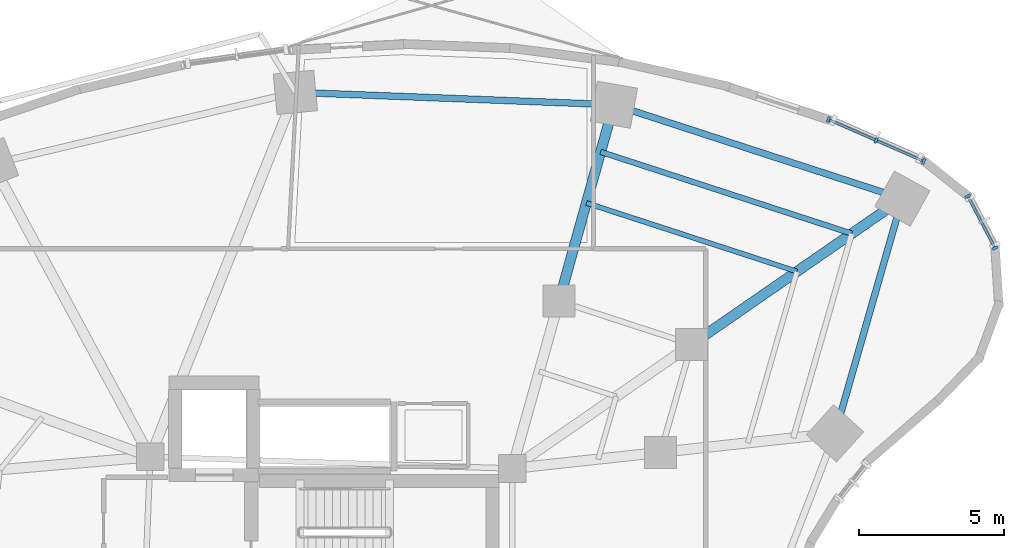
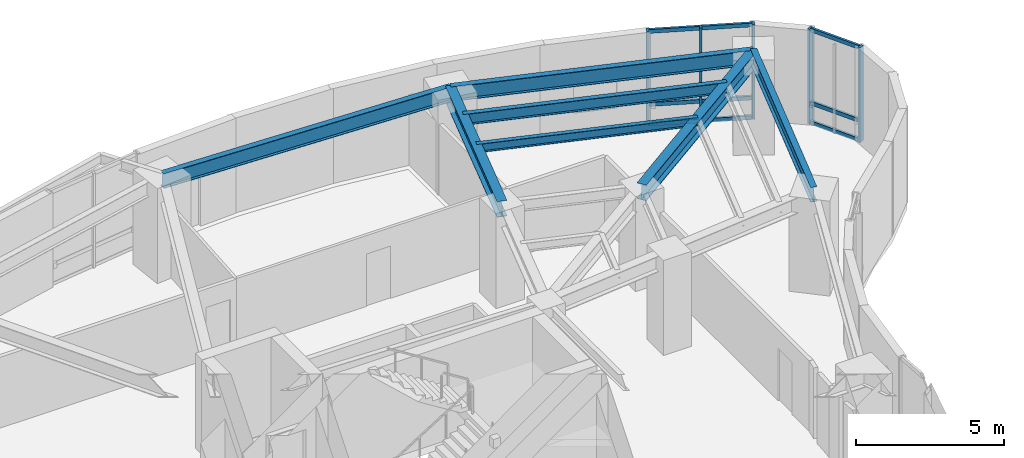
# One storey, part 6 of 14: 14 members, 7 beams, 2 elements without a shape of their own.
"""IFC4 building model written with IfcOpenShell, lengths in metres."""

from ifc_helpers import new_model, si_unit, direction, frame, origin, origin_2d, place, context, subcontext, project, spatial, rectangle, i_section, extrude, material, layer, layer_set, material_profile, profile_set, type_object, element, aggregate, save


model = new_model("IFC4")

# Units and contexts
model_context = context("Model", 3, precision=1e-05, world=origin(), true_north=direction((0.0, 1.0)))
body_context = subcontext(model_context, "Body", "Model", "MODEL_VIEW")
ifc_project = project(units=[si_unit("LENGTHUNIT", "METRE"), si_unit("AREAUNIT", "SQUARE_METRE"), si_unit("VOLUMEUNIT", "CUBIC_METRE"), si_unit("PLANEANGLEUNIT", "RADIAN"), si_unit("MASSUNIT", "GRAM", prefix="KILO")], contexts=[model_context])

# Site, building, storey
site_placement = place(None, origin())
site = spatial("IfcSite", under=ifc_project, at=site_placement, CompositionType="ELEMENT")
building_placement = place(site_placement, origin())
building = spatial("IfcBuilding", under=site, at=building_placement, Name="Korentha Bioscience Tower", CompositionType="ELEMENT")
storey_placement = place(building_placement, frame((0.0, 0.0, 63.60009765625)))
storey = spatial("IfcBuildingStorey", under=building, at=storey_placement, Name="L14", CompositionType="ELEMENT", Elevation=63.60009765625)

# Curtain wall, members
ifc_material_1 = material(Name="Thermally Broken Aluminium Frame", Category="aluminium")
ifc_layer = layer(ifc_material_1, 0.219970703125, Name="Thermally Broken Aluminium Frame")
ifc_layer_set = layer_set([ifc_layer], Name="Thermally Broken Aluminium Frame (CW-T2)")
curtain_wall_type = type_object("IfcCurtainWallType", Name="Solar-Screened Lab Unitised Curtain Wall CW-T2", PredefinedType="USERDEFINED", material=ifc_layer_set)
curtain_wall_1_placement = place(storey_placement, origin())
curtain_wall_1 = element("IfcCurtainWall", 1, at=curtain_wall_1_placement, inside=storey, type_object=curtain_wall_type, Name="L14 Curtain Wall 01", ObjectType="UNITISED", PredefinedType="USERDEFINED")
ifc_material_2 = material(Name="Anodised Aluminium 6063-T6", Category="aluminium")
ifc_material_profile_1 = material_profile(ifc_material_2, rectangle(XDim=0.090087890625, YDim=0.199951171875, at=origin_2d()), Name="Anodised Aluminium 6063-T6")
ifc_profile_set_1 = profile_set([ifc_material_profile_1], Name="Anodised Aluminium 6063-T6 (CW-MUL)")
member_type_1 = type_object("IfcMemberType", Name="Mullion RECT 90x200", PredefinedType="MULLION", material=ifc_profile_set_1)
member_1_placement = place(storey_placement, frame((51.71337890625, 46.420654296875, 0.0), z_axis=(0.0, 0.0, 1.0), x_axis=(-0.91593909057, 0.401317308828, 0.0)))
member_1 = element("IfcMember", 2, at=member_1_placement, type_object=member_type_1, Name="CW-L14-01 Mullion 1", PredefinedType="MULLION", context=body_context, shape_type="SweptSolid", body=[
    extrude(rectangle(XDim=0.090087890625, YDim=0.199951171875, at=origin_2d()), origin(), (0.0, 0.0, 1.0), 3.89990234375),
])
member_2_placement = place(storey_placement, frame((50.072998046875, 47.139404296875, 0.0), z_axis=(0.0, 0.0, 1.0), x_axis=(-0.91593909057, 0.401317308828, 0.0)))
member_2 = element("IfcMember", 3, at=member_2_placement, type_object=member_type_1, Name="CW-L14-01 Mullion 2", PredefinedType="MULLION", context=body_context, shape_type="SweptSolid", body=[
    extrude(rectangle(XDim=0.090087890625, YDim=0.199951171875, at=origin_2d()), origin(), (0.0, 0.0, 1.0), 3.89990234375),
])
member_3_placement = place(storey_placement, frame((48.43212890625, 47.8583984375, 0.0), z_axis=(0.0, 0.0, 1.0), x_axis=(-0.91593909057, 0.401317308828, 0.0)))
member_3 = element("IfcMember", 4, at=member_3_placement, type_object=member_type_1, Name="CW-L14-01 Mullion 3", PredefinedType="MULLION", context=body_context, shape_type="SweptSolid", body=[
    extrude(rectangle(XDim=0.090087890625, YDim=0.199951171875, at=origin_2d()), origin(), (0.0, 0.0, 1.0), 3.89990234375),
])

curtain_wall_2_placement = place(storey_placement, origin())
curtain_wall_2 = element("IfcCurtainWall", 5, at=curtain_wall_2_placement, inside=storey, type_object=curtain_wall_type, Name="L14 Curtain Wall 61", ObjectType="UNITISED", PredefinedType="USERDEFINED")
member_4_placement = place(storey_placement, frame((54.163330078125, 43.435302734375, 0.0), z_axis=(0.0, 0.0, 1.0), x_axis=(-0.463008597697, 0.886353788539, 0.0)))
member_4 = element("IfcMember", 6, at=member_4_placement, type_object=member_type_1, Name="CW-L14-61 Mullion 1", PredefinedType="MULLION", context=body_context, shape_type="SweptSolid", body=[
    extrude(rectangle(XDim=0.090087890625, YDim=0.199951171875, at=origin_2d()), origin(), (0.0, 0.0, 1.0), 3.89990234375),
])
member_5_placement = place(storey_placement, frame((53.22900390625, 45.2236328125, 0.0), z_axis=(0.0, 0.0, 1.0), x_axis=(-0.463008597697, 0.886353788539, 0.0)))
member_5 = element("IfcMember", 7, at=member_5_placement, type_object=member_type_1, Name="CW-L14-61 Mullion 2", PredefinedType="MULLION", context=body_context, shape_type="SweptSolid", body=[
    extrude(rectangle(XDim=0.090087890625, YDim=0.199951171875, at=origin_2d()), origin(), (0.0, 0.0, 1.0), 3.89990234375),
])

# Beams
ifc_material_3 = material(Name="Steel S355", Category="steel")
ifc_material_profile_2 = material_profile(ifc_material_3, i_section(OverallWidth=0.22802734375, OverallDepth=0.60791015625, WebThickness=0.01123046875, FlangeThickness=0.017333984375, at=origin_2d()), Name="Steel S355")
ifc_profile_set_2 = profile_set([ifc_material_profile_2], Name="Steel S355 (SB-610)")
beam_type_1 = type_object("IfcBeamType", Name="Perimeter Ring Spandrel Girder W610x113", PredefinedType="SPANDREL", material=ifc_profile_set_2)
beam_1_placement = place(storey_placement, frame((50.977294921875, 45.135498046875, 3.595947265625), z_axis=(-0.95087511444, 0.309574735305, 0.0), x_axis=(-0.309574735305, -0.95087511444, 0.0)))
element("IfcBeam", 8, at=beam_1_placement, inside=storey, type_object=beam_type_1, Name="L14 Perimeter Spandrel Girder 01", PredefinedType="SPANDREL", context=body_context, shape_type="SweptSolid", body=[
    extrude(i_section(OverallWidth=0.22802734375, OverallDepth=0.60791015625, WebThickness=0.01123046875, FlangeThickness=0.017333984375, at=origin_2d()), origin(), (0.0, 0.0, 1.0), 10.4375),
])
beam_2_placement = place(storey_placement, frame((41.052490234375, 48.36669921875, 3.595947265625), z_axis=(-0.999246003889, 0.03882555488, 0.0), x_axis=(-0.03882555488, -0.999246003889, 0.0)))
element("IfcBeam", 9, at=beam_2_placement, inside=storey, type_object=beam_type_1, Name="L14 Perimeter Spandrel Girder 02", PredefinedType="SPANDREL", context=body_context, shape_type="SweptSolid", body=[
    extrude(i_section(OverallWidth=0.22802734375, OverallDepth=0.60791015625, WebThickness=0.01123046875, FlangeThickness=0.017333984375, at=origin_2d()), origin(), (0.0, 0.0, 1.0), 10.966552734375),
])
beam_3_placement = place(storey_placement, frame((48.661865234375, 37.060791015625, 3.595947265625), z_axis=(0.275642273411, 0.961260285827, 0.0), x_axis=(-0.961260285827, 0.275642273411, 0.0)))
element("IfcBeam", 10, at=beam_3_placement, inside=storey, type_object=beam_type_1, Name="L14 Perimeter Spandrel Girder 16", PredefinedType="SPANDREL", context=body_context, shape_type="SweptSolid", body=[
    extrude(i_section(OverallWidth=0.22802734375, OverallDepth=0.60791015625, WebThickness=0.01123046875, FlangeThickness=0.017333984375, at=origin_2d()), origin(), (0.0, 0.0, 1.0), 8.400146484375),
])
ifc_material_profile_3 = material_profile(ifc_material_3, i_section(OverallWidth=0.18994140625, OverallDepth=0.45703125, WebThickness=0.009033203125, FlangeThickness=0.014404296875, at=origin_2d()), Name="Steel S355")
ifc_profile_set_3 = profile_set([ifc_material_profile_3], Name="Steel S355 (RB-460)")
beam_type_2 = type_object("IfcBeamType", Name="Radial Laboratory Beam W460x74", PredefinedType="BEAM", material=ifc_profile_set_3)
beam_4_placement = place(storey_placement, frame((49.2373046875, 43.931884765625, 3.67138671875), z_axis=(-0.95087437499, 0.309577006554, 0.0), x_axis=(-0.309577006554, -0.95087437499, 0.0)))
element("IfcBeam", 11, at=beam_4_placement, inside=storey, type_object=beam_type_2, Name="L14 Secondary Floor Beam JSTO-01", PredefinedType="BEAM", context=body_context, shape_type="SweptSolid", body=[
    extrude(i_section(OverallWidth=0.18994140625, OverallDepth=0.45703125, WebThickness=0.009033203125, FlangeThickness=0.014404296875, at=origin_2d()), origin(), (0.0, 0.0, 1.0), 9.0849609375),
])
ifc_material_profile_4 = material_profile(ifc_material_3, i_section(OverallWidth=0.35009765625, OverallDepth=0.64990234375, WebThickness=0.01611328125, FlangeThickness=0.02490234375, at=origin_2d()), Name="Steel S355")
ifc_profile_set_4 = profile_set([ifc_material_profile_4], Name="Steel S355 (RB-650)")
beam_type_3 = type_object("IfcBeamType", Name="Radial Laboratory Girder CVS 650x208", PredefinedType="BEAM", material=ifc_profile_set_4)
beam_5_placement = place(storey_placement, frame((43.7265625, 40.121337890625, 3.574951171875), z_axis=(0.822488186113, 0.568782193555, 0.0), x_axis=(-0.568782193555, 0.822488186113, 0.0)))
element("IfcBeam", 12, at=beam_5_placement, inside=storey, type_object=beam_type_3, Name="L14 Outer Radial Girder 01", PredefinedType="BEAM", context=body_context, shape_type="SweptSolid", body=[
    extrude(i_section(OverallWidth=0.35009765625, OverallDepth=0.64990234375, WebThickness=0.01611328125, FlangeThickness=0.02490234375, at=origin_2d()), origin(), (0.0, 0.0, 1.0), 8.815673828125),
])
beam_6_placement = place(storey_placement, frame((39.1611328125, 41.607666015625, 3.574951171875), z_axis=(0.269475095129, 0.963007358801, 0.0), x_axis=(-0.963007358801, 0.269475095129, 0.0)))
element("IfcBeam", 13, at=beam_6_placement, inside=storey, type_object=beam_type_3, Name="L14 Outer Radial Girder 02", PredefinedType="BEAM", context=body_context, shape_type="SweptSolid", body=[
    extrude(i_section(OverallWidth=0.35009765625, OverallDepth=0.64990234375, WebThickness=0.01611328125, FlangeThickness=0.02490234375, at=origin_2d()), origin(), (0.0, 0.0, 1.0), 7.0185546875),
])
ifc_material_profile_5 = material_profile(ifc_material_3, i_section(OverallWidth=0.1708984375, OverallDepth=0.35498046875, WebThickness=0.007080078125, FlangeThickness=0.01171875, at=origin_2d()), Name="Steel S355")
ifc_profile_set_5 = profile_set([ifc_material_profile_5], Name="Steel S355 (JB-360)")
beam_type_4 = type_object("IfcBeamType", Name="Secondary Laboratory Joist W360x51", PredefinedType="JOIST", material=ifc_profile_set_5)
beam_7_placement = place(storey_placement, frame((47.35205078125, 42.62841796875, 3.722412109375), z_axis=(-0.950870992772, 0.309587394938, 0.0), x_axis=(-0.309587394938, -0.950870992772, 0.0)))
element("IfcBeam", 14, at=beam_7_placement, inside=storey, type_object=beam_type_4, Name="L14 Secondary Floor Beam JST-01", PredefinedType="JOIST", context=body_context, shape_type="SweptSolid", body=[
    extrude(i_section(OverallWidth=0.1708984375, OverallDepth=0.35498046875, WebThickness=0.007080078125, FlangeThickness=0.01171875, at=origin_2d()), origin(), (0.0, 0.0, 1.0), 7.619384765625),
])

# Member
ifc_material_profile_6 = material_profile(ifc_material_2, rectangle(XDim=0.090087890625, YDim=0.159912109375, at=origin_2d()), Name="Anodised Aluminium 6063-T6")
ifc_profile_set_6 = profile_set([ifc_material_profile_6], Name="Anodised Aluminium 6063-T6 (CW-TRN)")
member_type_2 = type_object("IfcMemberType", Name="Transom RECT 90x160", PredefinedType="USERDEFINED", material=ifc_profile_set_6)
member_6_placement = place(storey_placement, frame((51.67236328125, 46.438720703125, 0.044921875), z_axis=(-0.915976098914, 0.401232832926, 0.0), x_axis=(-0.401232832926, -0.915976098914, 0.0)))
member_6 = element("IfcMember", 15, at=member_6_placement, type_object=member_type_2, Name="CW-L14-01 Bay 1 Transom 1", ObjectType="TRANSOM", PredefinedType="USERDEFINED", context=body_context, shape_type="SweptSolid", body=[
    extrude(rectangle(XDim=0.090087890625, YDim=0.159912109375, at=origin_2d()), origin(), (0.0, 0.0, 1.0), 1.701416015625),
])

member_7_placement = place(storey_placement, frame((51.67236328125, 46.438720703125, 0.849853515625), z_axis=(-0.915976098914, 0.401232832926, 0.0), x_axis=(-0.401232832926, -0.915976098914, 0.0)))
member_7 = element("IfcMember", 16, at=member_7_placement, type_object=member_type_2, Name="CW-L14-01 Bay 1 Transom 2", ObjectType="TRANSOM", PredefinedType="USERDEFINED", context=body_context, shape_type="SweptSolid", body=[
    extrude(rectangle(XDim=0.090087890625, YDim=0.159912109375, at=origin_2d()), origin(), (0.0, 0.0, 1.0), 1.701416015625),
])

member_8_placement = place(storey_placement, frame((51.67236328125, 46.438720703125, 3.85498046875), z_axis=(-0.915976098914, 0.401232832926, 0.0), x_axis=(-0.401232832926, -0.915976098914, 0.0)))
member_8 = element("IfcMember", 17, at=member_8_placement, type_object=member_type_2, Name="CW-L14-01 Bay 1 Transom 3", ObjectType="TRANSOM", PredefinedType="USERDEFINED", context=body_context, shape_type="SweptSolid", body=[
    extrude(rectangle(XDim=0.090087890625, YDim=0.159912109375, at=origin_2d()), origin(), (0.0, 0.0, 1.0), 1.701416015625),
])

member_9_placement = place(storey_placement, frame((50.031494140625, 47.15771484375, 0.044921875), z_axis=(-0.915952992218, 0.401285579167, 0.0), x_axis=(-0.401285579167, -0.915952992218, 0.0)))
member_9 = element("IfcMember", 18, at=member_9_placement, type_object=member_type_2, Name="CW-L14-01 Bay 2 Transom 1", ObjectType="TRANSOM", PredefinedType="USERDEFINED", context=body_context, shape_type="SweptSolid", body=[
    extrude(rectangle(XDim=0.090087890625, YDim=0.159912109375, at=origin_2d()), origin(), (0.0, 0.0, 1.0), 1.701171875),
])

member_10_placement = place(storey_placement, frame((50.031494140625, 47.15771484375, 0.849853515625), z_axis=(-0.915952992218, 0.401285579167, 0.0), x_axis=(-0.401285579167, -0.915952992218, 0.0)))
member_10 = element("IfcMember", 19, at=member_10_placement, type_object=member_type_2, Name="CW-L14-01 Bay 2 Transom 2", ObjectType="TRANSOM", PredefinedType="USERDEFINED", context=body_context, shape_type="SweptSolid", body=[
    extrude(rectangle(XDim=0.090087890625, YDim=0.159912109375, at=origin_2d()), origin(), (0.0, 0.0, 1.0), 1.701171875),
])

member_11_placement = place(storey_placement, frame((50.031494140625, 47.15771484375, 3.85498046875), z_axis=(-0.915952992218, 0.401285579167, 0.0), x_axis=(-0.401285579167, -0.915952992218, 0.0)))
member_11 = element("IfcMember", 20, at=member_11_placement, type_object=member_type_2, Name="CW-L14-01 Bay 2 Transom 3", ObjectType="TRANSOM", PredefinedType="USERDEFINED", context=body_context, shape_type="SweptSolid", body=[
    extrude(rectangle(XDim=0.090087890625, YDim=0.159912109375, at=origin_2d()), origin(), (0.0, 0.0, 1.0), 1.701171875),
])

aggregate(curtain_wall_1, [member_1, member_2, member_3, member_6, member_7, member_8, member_9, member_10, member_11])

member_12_placement = place(storey_placement, frame((54.142333984375, 43.47509765625, 0.044921875), z_axis=(-0.462899248902, 0.886410900974, 0.0), x_axis=(-0.886410900974, -0.462899248902, 0.0)))
member_12 = element("IfcMember", 21, at=member_12_placement, type_object=member_type_2, Name="CW-L14-61 Bay 1 Transom 1", ObjectType="TRANSOM", PredefinedType="USERDEFINED", context=body_context, shape_type="SweptSolid", body=[
    extrude(rectangle(XDim=0.090087890625, YDim=0.159912109375, at=origin_2d()), origin(), (0.0, 0.0, 1.0), 1.927734375),
])

member_13_placement = place(storey_placement, frame((54.142333984375, 43.47509765625, 0.849853515625), z_axis=(-0.462899248902, 0.886410900974, 0.0), x_axis=(-0.886410900974, -0.462899248902, 0.0)))
member_13 = element("IfcMember", 22, at=member_13_placement, type_object=member_type_2, Name="CW-L14-61 Bay 1 Transom 2", ObjectType="TRANSOM", PredefinedType="USERDEFINED", context=body_context, shape_type="SweptSolid", body=[
    extrude(rectangle(XDim=0.090087890625, YDim=0.159912109375, at=origin_2d()), origin(), (0.0, 0.0, 1.0), 1.927734375),
])

member_14_placement = place(storey_placement, frame((54.142333984375, 43.47509765625, 3.85498046875), z_axis=(-0.462899248902, 0.886410900974, 0.0), x_axis=(-0.886410900974, -0.462899248902, 0.0)))
member_14 = element("IfcMember", 23, at=member_14_placement, type_object=member_type_2, Name="CW-L14-61 Bay 1 Transom 3", ObjectType="TRANSOM", PredefinedType="USERDEFINED", context=body_context, shape_type="SweptSolid", body=[
    extrude(rectangle(XDim=0.090087890625, YDim=0.159912109375, at=origin_2d()), origin(), (0.0, 0.0, 1.0), 1.927734375),
])

aggregate(curtain_wall_2, [member_4, member_5, member_12, member_13, member_14])

save(model, "model.ifc")
